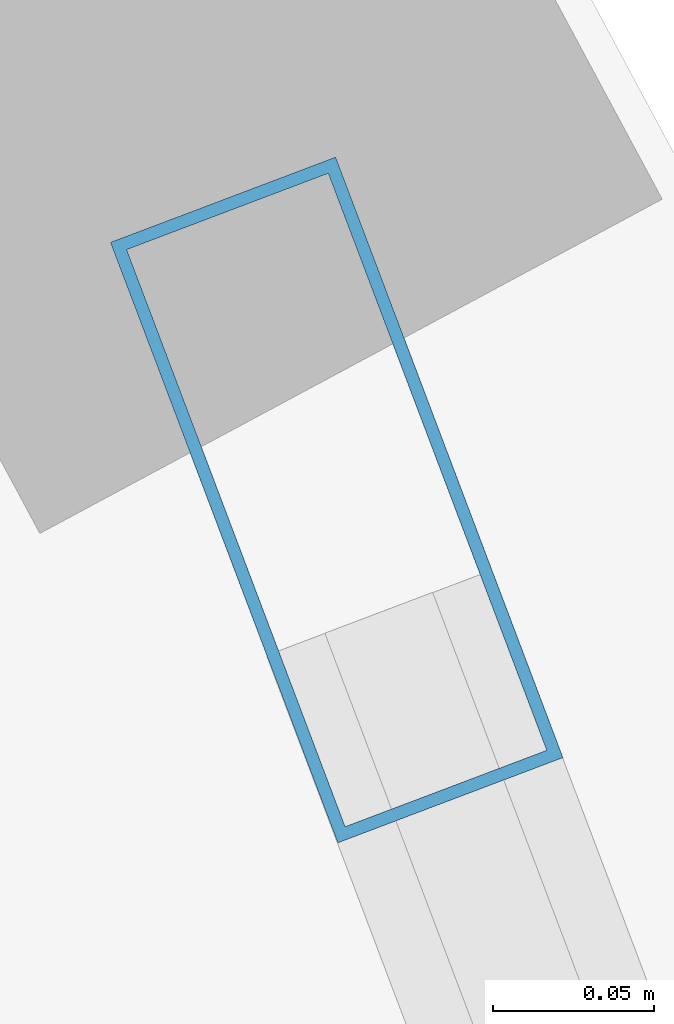
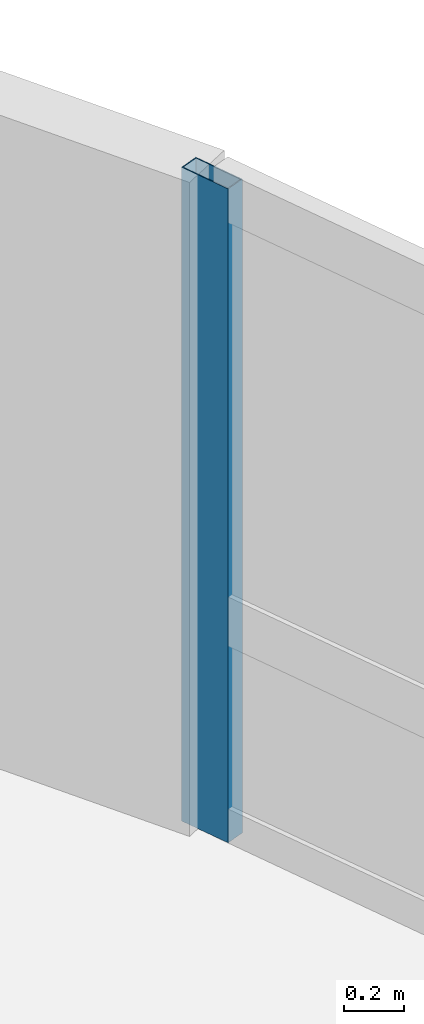
# One storey, part 10 of 19: 1 member, 1 element without a shape of its own.
"""IFC4 building model written with IfcOpenShell, lengths in metres."""

from ifc_helpers import new_model, si_unit, direction, frame, origin, origin_2d, place, context, subcontext, project, spatial, hollow_rectangle, extrude, material, layer, layer_set, material_profile, profile_set, type_object, element, aggregate, save


model = new_model("IFC4")

# Units and contexts
model_context = context("Model", 3, precision=1e-05, world=origin(), true_north=direction((0.0, 1.0)))
body_context = subcontext(model_context, "Body", "Model", "MODEL_VIEW")
ifc_project = project(units=[si_unit("LENGTHUNIT", "METRE"), si_unit("AREAUNIT", "SQUARE_METRE"), si_unit("VOLUMEUNIT", "CUBIC_METRE"), si_unit("PLANEANGLEUNIT", "RADIAN"), si_unit("MASSUNIT", "GRAM", prefix="KILO")], contexts=[model_context])

# Site, building, storey
site_placement = place(None, origin())
site = spatial("IfcSite", under=ifc_project, at=site_placement, CompositionType="ELEMENT")
building_placement = place(site_placement, origin())
building = spatial("IfcBuilding", under=site, at=building_placement, Name="Varnelok Gate Tower", CompositionType="ELEMENT")
storey_placement = place(building_placement, frame((0.0, 0.0, 249.699951171875)))
storey = spatial("IfcBuildingStorey", under=building, at=storey_placement, Name="L64", CompositionType="ELEMENT", Elevation=249.699951171875)

# Curtain wall, member
ifc_material = material(Name="Anodized Aluminum Alloy 6063-T6", Category="aluminium")
ifc_layer = layer(ifc_material, 0.179931640625)
ifc_layer_set = layer_set([ifc_layer], Name="Anodized Aluminum Alloy 6063-T6")
curtain_wall_type = type_object("IfcCurtainWallType", Name="CW4-RESIDENCE-VISION", PredefinedType="USERDEFINED", material=ifc_layer_set)
curtain_wall_placement = place(storey_placement, origin())
curtain_wall = element("IfcCurtainWall", 1, at=curtain_wall_placement, inside=storey, type_object=curtain_wall_type, Name="L64 East End Vision Curtain Wall", ObjectType="UNITISED CURTAIN WALL", PredefinedType="USERDEFINED")
ifc_material_profile = material_profile(ifc_material, hollow_rectangle(XDim=0.074951171875, YDim=0.199951171875, WallThickness=0.00390625, at=origin_2d()), Name="ALU200X75X4")
ifc_profile_set = profile_set([ifc_material_profile], Name="Anodized Aluminum Alloy 6063-T6")
member_type = type_object("IfcMemberType", Name="CW-MULL-200", PredefinedType="MULLION", material=ifc_profile_set)
member_placement = place(storey_placement, frame((64.514892578125, 51.5244140625, 0.0), z_axis=(0.0, 0.0, 1.0), x_axis=(0.935221557832, 0.354063042079, 0.0)))
member = element("IfcMember", 2, at=member_placement, type_object=member_type, Name="CW4 mullion 1", PredefinedType="MULLION", context=body_context, shape_type="SweptSolid", body=[
    extrude(hollow_rectangle(XDim=0.074951171875, YDim=0.199951171875, WallThickness=0.00390625, at=origin_2d()), origin(), (0.0, 0.0, 1.0), 2.66015625),
])
aggregate(curtain_wall, [member])

save(model, "model.ifc")
